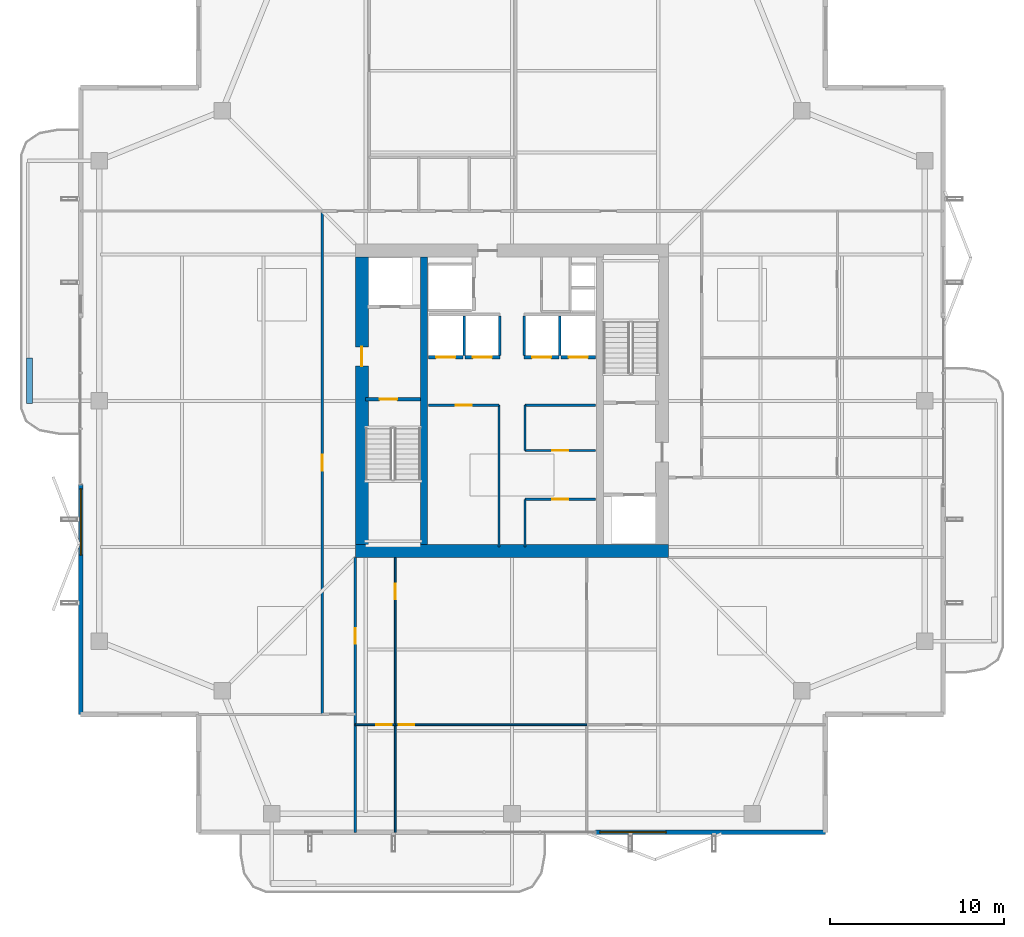
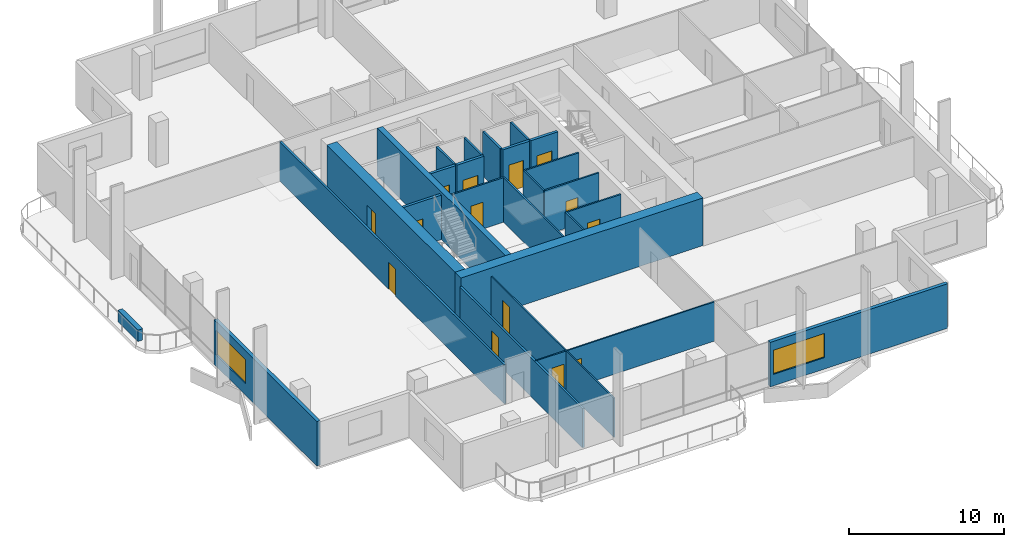
# One storey, part 18 of 25: 27 walls, 14 doors, 2 windows, 16 openings.
"""IFC4 building model written with IfcOpenShell, lengths in metres."""

from ifc_helpers import new_model, si_unit, direction, frame, frame_2d, origin, place, context, subcontext, project, spatial, rectangle, extrude, material, layer, layer_set, type_object, element, fill, save


model = new_model("IFC4")

# Units and contexts
model_context = context("Model", 3, precision=1e-05, world=origin(), true_north=direction((0.0, 1.0)))
body_context = subcontext(model_context, "Body", "Model", "MODEL_VIEW")
ifc_project = project(units=[si_unit("LENGTHUNIT", "METRE"), si_unit("AREAUNIT", "SQUARE_METRE"), si_unit("VOLUMEUNIT", "CUBIC_METRE"), si_unit("PLANEANGLEUNIT", "RADIAN"), si_unit("MASSUNIT", "GRAM", prefix="KILO")], contexts=[model_context])

# Site, building, storey
site_placement = place(None, origin())
site = spatial("IfcSite", under=ifc_project, at=site_placement, CompositionType="ELEMENT")
building_placement = place(site_placement, origin())
building = spatial("IfcBuilding", under=site, at=building_placement, Name="Belovzor Exchange Tower", CompositionType="ELEMENT")
storey_placement = place(building_placement, frame((0.0, 0.0, 265.35009765625)))
storey = spatial("IfcBuildingStorey", under=building, at=storey_placement, Name="L66", CompositionType="ELEMENT", Elevation=265.35009765625)

# Wall, opening, door
ifc_material_1 = material(Name="Acoustic Laminated Glass and Aluminium", Category="aluminium")
ifc_layer_1 = layer(ifc_material_1, 0.10009765625)
ifc_layer_set_1 = layer_set([ifc_layer_1], Name="Acoustic Laminated Glass and Aluminium")
wall_type_1 = type_object("IfcWallType", Name="Demountable Executive Glass Partition 100", PredefinedType="MOVABLE", material=ifc_layer_set_1)
wall_1_placement = place(storey_placement, frame((19.800048828125, 10.200927734375, 0.0), z_axis=(0.0, 0.0, 1.0), x_axis=(1.0, 0.0, 0.0)))
wall_1 = element("IfcWall", 1, at=wall_1_placement, inside=storey, type_object=wall_type_1, Name="W-M100 Partition Wall W-L66-SHDIV-0", PredefinedType="MOVABLE", context=body_context, shape_type="SweptSolid", body=[
    extrude(rectangle(XDim=2.300048828125, YDim=0.10009765625, at=frame_2d((1.14990234375, 0.0))), origin(), (0.0, 0.0, 1.0), 3.0849609375),
])
opening_1_placement = place(wall_1_placement, frame((1.199951171875, 0.0, 0.0)))
opening_1 = element("IfcOpeningElement", 2, at=opening_1_placement, cuts=wall_1, Name="Opening D-INT-090", PredefinedType="OPENING", context=body_context, shape_type="SweptSolid", body=[
    extrude(rectangle(XDim=0.89990234375, YDim=2.10009765625, at=frame_2d((0.449951171875, 1.050048828125))), frame((0.0, 0.06005859375, 0.0), z_axis=(0.0, -1.0, 0.0), x_axis=(1.0, 0.0, 0.0)), (0.0, 0.0, 1.0), 0.1201171875),
])
ifc_material_2 = material(Name="Veneered Hardwood Acoustic Leaf", Category="wood")
door_type_1 = type_object("IfcDoorType", Name="Trading Suite Acoustic Single Door 900x2100", OperationType="NOTDEFINED", PredefinedType="DOOR", material=ifc_material_2)
door_1_placement = place(opening_1_placement, origin())
door_1 = element("IfcDoor", 3, at=door_1_placement, inside=storey, type_object=door_type_1, Name="D-INT-090 Trading Suite Acoustic Single Door 900x2100", OperationType="SINGLE_SWING_LEFT", OverallHeight=2.10009765625, OverallWidth=0.89990234375, PredefinedType="DOOR", context=body_context, shape_type="SweptSolid", body=[
    extrude(rectangle(XDim=0.89990234375, YDim=2.10009765625, at=frame_2d((0.449951171875, 1.050048828125))), frame((0.0, 0.02490234375, 0.0), z_axis=(0.0, -1.0, 0.0), x_axis=(1.0, 0.0, 0.0)), (0.0, 0.0, 1.0), 0.050048828125),
])
fill(opening_1, door_1)

wall_2_placement = place(storey_placement, frame((22.10009765625, 4.030029296875, 0.0), z_axis=(0.0, 0.0, 1.0), x_axis=(0.0, 1.0, 0.0)))
wall_2 = element("IfcWall", 4, at=wall_2_placement, inside=storey, type_object=wall_type_1, Name="W-M100 Partition Wall W-L66-SDIV-1", PredefinedType="MOVABLE", context=body_context, shape_type="SweptSolid", body=[
    extrude(rectangle(XDim=15.77001953125, YDim=0.10009765625, at=frame_2d((7.885009765625, 0.0))), origin(), (0.0, 0.0, 1.0), 3.0849609375),
])
opening_2_placement = place(wall_2_placement, frame((13.3701171875, 0.0, 0.0)))
opening_2 = element("IfcOpeningElement", 5, at=opening_2_placement, cuts=wall_2, Name="Opening D-INT-090", PredefinedType="OPENING", context=body_context, shape_type="SweptSolid", body=[
    extrude(rectangle(XDim=0.89990234375, YDim=2.10009765625, at=frame_2d((0.449951171875, 1.050048828125))), frame((0.0, 0.06005859375, 0.0), z_axis=(0.0, -1.0, 0.0), x_axis=(1.0, 0.0, 0.0)), (0.0, 0.0, 1.0), 0.1201171875),
])
door_2_placement = place(opening_2_placement, origin())
door_2 = element("IfcDoor", 6, at=door_2_placement, inside=storey, type_object=door_type_1, Name="D-INT-090 Trading Suite Acoustic Single Door 900x2100", OperationType="SINGLE_SWING_LEFT", OverallHeight=2.10009765625, OverallWidth=0.89990234375, PredefinedType="DOOR", context=body_context, shape_type="SweptSolid", body=[
    extrude(rectangle(XDim=0.89990234375, YDim=2.10009765625, at=frame_2d((0.449951171875, 1.050048828125))), frame((0.0, 0.02490234375, 0.0), z_axis=(0.0, -1.0, 0.0), x_axis=(1.0, 0.0, 0.0)), (0.0, 0.0, 1.0), 0.050048828125),
])
fill(opening_2, door_2)

wall_3_placement = place(storey_placement, frame((22.10009765625, 10.200927734375, 0.0), z_axis=(0.0, 0.0, 1.0), x_axis=(1.0, 0.0, 0.0)))
wall_3 = element("IfcWall", 7, at=wall_3_placement, inside=storey, type_object=wall_type_1, Name="W-M100 Partition Wall W-L66-SHDIV-1", PredefinedType="MOVABLE", context=body_context, shape_type="SweptSolid", body=[
    extrude(rectangle(XDim=10.991943359375, YDim=0.10009765625, at=frame_2d((5.49609375, 0.0))), origin(), (0.0, 0.0, 1.0), 3.0849609375),
])
opening_3_placement = place(wall_3_placement, frame((0.199951171875, 0.0, 0.0)))
opening_3 = element("IfcOpeningElement", 8, at=opening_3_placement, cuts=wall_3, Name="Opening D-INT-090", PredefinedType="OPENING", context=body_context, shape_type="SweptSolid", body=[
    extrude(rectangle(XDim=0.89990234375, YDim=2.10009765625, at=frame_2d((0.449951171875, 1.050048828125))), frame((0.0, 0.06005859375, 0.0), z_axis=(0.0, -1.0, 0.0), x_axis=(1.0, 0.0, 0.0)), (0.0, 0.0, 1.0), 0.1201171875),
])
door_3_placement = place(opening_3_placement, origin())
door_3 = element("IfcDoor", 9, at=door_3_placement, inside=storey, type_object=door_type_1, Name="D-INT-090 Trading Suite Acoustic Single Door 900x2100", OperationType="SINGLE_SWING_LEFT", OverallHeight=2.10009765625, OverallWidth=0.89990234375, PredefinedType="DOOR", context=body_context, shape_type="SweptSolid", body=[
    extrude(rectangle(XDim=0.89990234375, YDim=2.10009765625, at=frame_2d((0.449951171875, 1.050048828125))), frame((0.0, 0.02490234375, 0.0), z_axis=(0.0, -1.0, 0.0), x_axis=(1.0, 0.0, 0.0)), (0.0, 0.0, 1.0), 0.050048828125),
])
fill(opening_3, door_3)

ifc_material_3 = material(Name="Fire-Rated Plasterboard on Galvanised Studs", Category="gypsum")
ifc_layer_2 = layer(ifc_material_3, 0.1201171875)
ifc_layer_set_2 = layer_set([ifc_layer_2], Name="Fire-Rated Plasterboard on Galvanised Studs")
wall_type_2 = type_object("IfcWallType", Name="Fire-Rated Double-Stud Partition Wall 120", PredefinedType="PARTITIONING", material=ifc_layer_set_2)
wall_4_placement = place(storey_placement, frame((24.0, 28.550048828125, 0.0), z_axis=(0.0, 0.0, 1.0), x_axis=(1.0, 0.0, 0.0)))
wall_4 = element("IfcWall", 10, at=wall_4_placement, inside=storey, type_object=wall_type_2, Name="W-P120F Partition Wall W-CRWB-L66-N", PredefinedType="PARTITIONING", context=body_context, shape_type="SweptSolid", body=[
    extrude(rectangle(XDim=4.050048828125, YDim=0.1201171875, at=frame_2d((2.02490234375, 0.0))), origin(), (0.0, 0.0, 1.0), 3.5),
])
opening_4_placement = place(wall_4_placement, frame((1.574951171875, 0.0, 0.0)))
opening_4 = element("IfcOpeningElement", 11, at=opening_4_placement, cuts=wall_4, Name="Opening D-FD60-090", PredefinedType="OPENING", context=body_context, shape_type="SweptSolid", body=[
    extrude(rectangle(XDim=0.89990234375, YDim=2.10009765625, at=frame_2d((0.449951171875, 1.050048828125))), frame((0.0, 0.070068359375, 0.0), z_axis=(0.0, -1.0, 0.0), x_axis=(1.0, 0.0, 0.0)), (0.0, 0.0, 1.0), 0.14013671875),
])
ifc_material_4 = material(Name="Acoustic Timber Fire Leaf", Category="wood")
door_type_2 = type_object("IfcDoorType", Name="Core Service & Restroom Fire Door 900x2100", OperationType="NOTDEFINED", PredefinedType="DOOR", material=ifc_material_4)
door_4_placement = place(opening_4_placement, origin())
door_4 = element("IfcDoor", 12, at=door_4_placement, inside=storey, type_object=door_type_2, Name="D-FD60-090 Core Service & Restroom Fire Door 900x2100", OperationType="SINGLE_SWING_LEFT", OverallHeight=2.10009765625, OverallWidth=0.89990234375, PredefinedType="DOOR", context=body_context, shape_type="SweptSolid", body=[
    extrude(rectangle(XDim=0.89990234375, YDim=2.10009765625, at=frame_2d((0.449951171875, 1.050048828125))), frame((0.0, 0.02490234375, 0.0), z_axis=(0.0, -1.0, 0.0), x_axis=(1.0, 0.0, 0.0)), (0.0, 0.0, 1.0), 0.050048828125),
])
fill(opening_4, door_4)

# Wall
wall_5_placement = place(storey_placement, frame((28.050048828125, 20.39990234375, 0.0), z_axis=(0.0, 0.0, 1.0), x_axis=(0.0, 1.0, 0.0)))
element("IfcWall", 13, at=wall_5_placement, inside=storey, type_object=wall_type_2, Name="W-P120F Partition Wall W-CRWB-L66-E", PredefinedType="PARTITIONING", context=body_context, shape_type="SweptSolid", body=[
    extrude(rectangle(XDim=8.150146484375, YDim=0.1201171875, at=frame_2d((4.0751953125, 0.0))), origin(), (0.0, 0.0, 1.0), 3.5),
])

# Wall, opening, door
wall_6_placement = place(storey_placement, frame((29.550048828125, 23.14990234375, 0.0), z_axis=(0.0, 0.0, 1.0), x_axis=(1.0, 0.0, 0.0)))
wall_6 = element("IfcWall", 14, at=wall_6_placement, inside=storey, type_object=wall_type_2, Name="W-P120F Partition Wall W-CRL-L66-EN", PredefinedType="PARTITIONING", context=body_context, shape_type="SweptSolid", body=[
    extrude(rectangle(XDim=4.050048828125, YDim=0.1201171875, at=frame_2d((2.02490234375, 0.0))), origin(), (0.0, 0.0, 1.0), 3.5),
])
opening_5_placement = place(wall_6_placement, frame((1.574951171875, 0.0, 0.0)))
opening_5 = element("IfcOpeningElement", 15, at=opening_5_placement, cuts=wall_6, Name="Opening D-FD60-090", PredefinedType="OPENING", context=body_context, shape_type="SweptSolid", body=[
    extrude(rectangle(XDim=0.89990234375, YDim=2.10009765625, at=frame_2d((0.449951171875, 1.050048828125))), frame((0.0, 0.070068359375, 0.0), z_axis=(0.0, -1.0, 0.0), x_axis=(1.0, 0.0, 0.0)), (0.0, 0.0, 1.0), 0.14013671875),
])
door_5_placement = place(opening_5_placement, origin())
door_5 = element("IfcDoor", 16, at=door_5_placement, inside=storey, type_object=door_type_2, Name="D-FD60-090 Core Service & Restroom Fire Door 900x2100", OperationType="SINGLE_SWING_RIGHT", OverallHeight=2.10009765625, OverallWidth=0.89990234375, PredefinedType="DOOR", context=body_context, shape_type="SweptSolid", body=[
    extrude(rectangle(XDim=0.89990234375, YDim=2.10009765625, at=frame_2d((0.449951171875, 1.050048828125))), frame((0.0, 0.02490234375, 0.0), z_axis=(0.0, -1.0, 0.0), x_axis=(1.0, 0.0, 0.0)), (0.0, 0.0, 1.0), 0.050048828125),
])
fill(opening_5, door_5)

# Wall
wall_7_placement = place(storey_placement, frame((29.550048828125, 20.39990234375, 0.0), z_axis=(0.0, 0.0, 1.0), x_axis=(0.0, 1.0, 0.0)))
element("IfcWall", 17, at=wall_7_placement, inside=storey, type_object=wall_type_2, Name="W-P120F Partition Wall W-CRL-L66-EW", PredefinedType="PARTITIONING", context=body_context, shape_type="SweptSolid", body=[
    extrude(rectangle(XDim=2.75, YDim=0.1201171875, at=frame_2d((1.375, 0.0))), origin(), (0.0, 0.0, 1.0), 3.5),
])

# Wall, opening, door
wall_8_placement = place(storey_placement, frame((29.550048828125, 25.949951171875, 0.0), z_axis=(0.0, 0.0, 1.0), x_axis=(1.0, 0.0, 0.0)))
wall_8 = element("IfcWall", 18, at=wall_8_placement, inside=storey, type_object=wall_type_2, Name="W-P120F Partition Wall W-CRM-L66-ES", PredefinedType="PARTITIONING", context=body_context, shape_type="SweptSolid", body=[
    extrude(rectangle(XDim=4.050048828125, YDim=0.1201171875, at=frame_2d((2.02490234375, 0.0))), origin(), (0.0, 0.0, 1.0), 3.5),
])
opening_6_placement = place(wall_8_placement, frame((1.574951171875, 0.0, 0.0)))
opening_6 = element("IfcOpeningElement", 19, at=opening_6_placement, cuts=wall_8, Name="Opening D-FD60-090", PredefinedType="OPENING", context=body_context, shape_type="SweptSolid", body=[
    extrude(rectangle(XDim=0.89990234375, YDim=2.10009765625, at=frame_2d((0.449951171875, 1.050048828125))), frame((0.0, 0.070068359375, 0.0), z_axis=(0.0, -1.0, 0.0), x_axis=(1.0, 0.0, 0.0)), (0.0, 0.0, 1.0), 0.14013671875),
])
door_6_placement = place(opening_6_placement, origin())
door_6 = element("IfcDoor", 20, at=door_6_placement, inside=storey, type_object=door_type_2, Name="D-FD60-090 Core Service & Restroom Fire Door 900x2100", OperationType="SINGLE_SWING_RIGHT", OverallHeight=2.10009765625, OverallWidth=0.89990234375, PredefinedType="DOOR", context=body_context, shape_type="SweptSolid", body=[
    extrude(rectangle(XDim=0.89990234375, YDim=2.10009765625, at=frame_2d((0.449951171875, 1.050048828125))), frame((0.0, 0.02490234375, 0.0), z_axis=(0.0, -1.0, 0.0), x_axis=(1.0, 0.0, 0.0)), (0.0, 0.0, 1.0), 0.050048828125),
])
fill(opening_6, door_6)

# Walls
wall_9_placement = place(storey_placement, frame((29.550048828125, 28.550048828125, 0.0), z_axis=(0.0, 0.0, 1.0), x_axis=(1.0, 0.0, 0.0)))
element("IfcWall", 21, at=wall_9_placement, inside=storey, type_object=wall_type_2, Name="W-P120F Partition Wall W-CRM-L66-EN", PredefinedType="PARTITIONING", context=body_context, shape_type="SweptSolid", body=[
    extrude(rectangle(XDim=4.050048828125, YDim=0.1201171875, at=frame_2d((2.02490234375, 0.0))), origin(), (0.0, 0.0, 1.0), 3.5),
])
wall_10_placement = place(storey_placement, frame((29.550048828125, 25.949951171875, 0.0), z_axis=(0.0, 0.0, 1.0), x_axis=(0.0, 1.0, 0.0)))
element("IfcWall", 22, at=wall_10_placement, inside=storey, type_object=wall_type_2, Name="W-P120F Partition Wall W-CRM-L66-EW", PredefinedType="PARTITIONING", context=body_context, shape_type="SweptSolid", body=[
    extrude(rectangle(XDim=2.60009765625, YDim=0.1201171875, at=frame_2d((1.300048828125, 0.0))), origin(), (0.0, 0.0, 1.0), 3.5),
])

# Wall, opening, door
ifc_material_5 = material(Name="Fire-Rated Gypsum Block and Mineral Wool", Category="gypsum")
ifc_layer_3 = layer(ifc_material_5, 0.14990234375)
ifc_layer_set_3 = layer_set([ifc_layer_3], Name="Fire-Rated Gypsum Block and Mineral Wool")
wall_type_3 = type_object("IfcWallType", Name="Fire-Rated Gypsum Block Corridor Wall 150", PredefinedType="PARTITIONING", material=ifc_layer_set_3)
wall_11_placement = place(storey_placement, frame((19.800048828125, 4.030029296875, 0.0), z_axis=(0.0, 0.0, 1.0), x_axis=(0.0, 1.0, 0.0)))
wall_11 = element("IfcWall", 23, at=wall_11_placement, inside=storey, type_object=wall_type_3, Name="W-P150 Partition Wall W-L66-CW-E", PredefinedType="PARTITIONING", context=body_context, shape_type="SweptSolid", body=[
    extrude(rectangle(XDim=15.77001953125, YDim=0.14990234375, at=frame_2d((7.885009765625, 0.0))), origin(), (0.0, 0.0, 1.0), 3.0849609375),
])
opening_7_placement = place(wall_11_placement, frame((10.820068359375, 0.0, 0.0)))
opening_7 = element("IfcOpeningElement", 24, at=opening_7_placement, cuts=wall_11, Name="Opening D-FD60-090", PredefinedType="OPENING", context=body_context, shape_type="SweptSolid", body=[
    extrude(rectangle(XDim=0.89990234375, YDim=2.10009765625, at=frame_2d((0.449951171875, 1.050048828125))), frame((0.0, 0.0849609375, 0.0), z_axis=(0.0, -1.0, 0.0), x_axis=(1.0, 0.0, 0.0)), (0.0, 0.0, 1.0), 0.169921875),
])
door_7_placement = place(opening_7_placement, origin())
door_7 = element("IfcDoor", 25, at=door_7_placement, inside=storey, type_object=door_type_2, Name="D-FD60-090 Core Service & Restroom Fire Door 900x2100", OperationType="SINGLE_SWING_RIGHT", OverallHeight=2.10009765625, OverallWidth=0.89990234375, PredefinedType="DOOR", context=body_context, shape_type="SweptSolid", body=[
    extrude(rectangle(XDim=0.89990234375, YDim=2.10009765625, at=frame_2d((0.449951171875, 1.050048828125))), frame((0.0, 0.02490234375, 0.0), z_axis=(0.0, -1.0, 0.0), x_axis=(1.0, 0.0, 0.0)), (0.0, 0.0, 1.0), 0.050048828125),
])
fill(opening_7, door_7)

wall_12_placement = place(storey_placement, frame((17.89990234375, 10.800048828125, 0.0), z_axis=(0.0, 0.0, 1.0), x_axis=(0.0, 1.0, 0.0)))
wall_12 = element("IfcWall", 26, at=wall_12_placement, inside=storey, type_object=wall_type_3, Name="W-P150 Partition Wall W-L66-CW", PredefinedType="PARTITIONING", context=body_context, shape_type="SweptSolid", body=[
    extrude(rectangle(XDim=28.89990234375, YDim=0.14990234375, at=frame_2d((14.449951171875, 0.0))), origin(), (0.0, 0.0, 1.0), 3.0849609375),
])
opening_8_placement = place(wall_12_placement, frame((14.0, 0.0, 0.0)))
opening_8 = element("IfcOpeningElement", 27, at=opening_8_placement, cuts=wall_12, Name="Opening D-INT-090", PredefinedType="OPENING", context=body_context, shape_type="SweptSolid", body=[
    extrude(rectangle(XDim=0.89990234375, YDim=2.10009765625, at=frame_2d((0.449951171875, 1.050048828125))), frame((0.0, 0.0849609375, 0.0), z_axis=(0.0, -1.0, 0.0), x_axis=(1.0, 0.0, 0.0)), (0.0, 0.0, 1.0), 0.169921875),
])
door_8_placement = place(opening_8_placement, origin())
door_8 = element("IfcDoor", 28, at=door_8_placement, inside=storey, type_object=door_type_1, Name="D-INT-090 Trading Suite Acoustic Single Door 900x2100", OperationType="SINGLE_SWING_LEFT", OverallHeight=2.10009765625, OverallWidth=0.89990234375, PredefinedType="DOOR", context=body_context, shape_type="SweptSolid", body=[
    extrude(rectangle(XDim=0.89990234375, YDim=2.10009765625, at=frame_2d((0.449951171875, 1.050048828125))), frame((0.0, 0.02490234375, 0.0), z_axis=(0.0, -1.0, 0.0), x_axis=(1.0, 0.0, 0.0)), (0.0, 0.0, 1.0), 0.050048828125),
])
fill(opening_8, door_8)

# Wall, opening, window
ifc_material_6 = material(Name="Precast concrete C40/50", Category="concrete")
ifc_layer_4 = layer(ifc_material_6, 0.260009765625)
ifc_layer_set_4 = layer_set([ifc_layer_4], Name="Precast concrete C40/50")
wall_type_4 = type_object("IfcWallType", Name="Precast Concrete Perimeter Loggia Frame Wall 260", PredefinedType="SOLIDWALL", material=ifc_layer_set_4)
wall_13_placement = place(storey_placement, frame((46.800048828125, 4.030029296875, 0.0), z_axis=(0.0, 0.0, 1.0), x_axis=(-1.0, 0.0, 0.0)))
wall_13 = element("IfcWall", 29, at=wall_13_placement, inside=storey, type_object=wall_type_4, Name="W-EXT260 Precast Concrete Perimeter Loggia Frame Wall 260 L66", PredefinedType="SOLIDWALL", context=body_context, shape_type="SweptSolid", body=[
    extrude(rectangle(XDim=13.199951171875, YDim=0.260009765625, at=frame_2d((6.60009765625, 0.0))), origin(), (0.0, 0.0, 1.0), 3.5),
])
opening_9_placement = place(wall_13_placement, frame((9.14990234375, 0.0, 0.89990234375)))
opening_9 = element("IfcOpeningElement", 30, at=opening_9_placement, cuts=wall_13, Name="Opening WN-RIB380", PredefinedType="OPENING", context=body_context, shape_type="SweptSolid", body=[
    extrude(rectangle(XDim=3.800048828125, YDim=1.89990234375, at=frame_2d((1.89990234375, 0.949951171875))), frame((0.0, 0.139892578125, 0.0), z_axis=(0.0, -1.0, 0.0), x_axis=(1.0, 0.0, 0.0)), (0.0, 0.0, 1.0), 0.280029296875),
])
ifc_material_7 = material(Name="Thermally Broken Aluminium and Triple Glazing", Category="aluminium")
window_type = type_object("IfcWindowType", Name="Streamline Moderne Horizontal Ribbon Window 3800x1900", PartitioningType="SINGLE_PANEL", PredefinedType="WINDOW", material=ifc_material_7)
window_1_placement = place(opening_9_placement, origin())
window_1 = element("IfcWindow", 31, at=window_1_placement, inside=storey, type_object=window_type, Name="WN-RIB380 Streamline Moderne Horizontal Ribbon Window 3800x1900", OverallHeight=1.89990234375, OverallWidth=3.800048828125, PartitioningType="SINGLE_PANEL", PredefinedType="WINDOW", context=body_context, shape_type="SweptSolid", body=[
    extrude(rectangle(XDim=3.800048828125, YDim=1.89990234375, at=frame_2d((1.89990234375, 0.949951171875))), frame((0.0, 0.030029296875, 0.0), z_axis=(0.0, -1.0, 0.0), x_axis=(1.0, 0.0, 0.0)), (0.0, 0.0, 1.0), 0.06005859375),
])
fill(opening_9, window_1)

wall_14_placement = place(storey_placement, frame((4.030029296875, 10.800048828125, 0.0), z_axis=(0.0, 0.0, 1.0), x_axis=(0.0, 1.0, 0.0)))
wall_14 = element("IfcWall", 32, at=wall_14_placement, inside=storey, type_object=wall_type_4, Name="W-EXT260 Precast Concrete Perimeter Loggia Frame Wall 260 L66", PredefinedType="SOLIDWALL", context=body_context, shape_type="SweptSolid", body=[
    extrude(rectangle(XDim=13.199951171875, YDim=0.260009765625, at=frame_2d((6.60009765625, 0.0))), origin(), (0.0, 0.0, 1.0), 3.5),
])
opening_10_placement = place(wall_14_placement, frame((9.14990234375, 0.0, 0.89990234375)))
opening_10 = element("IfcOpeningElement", 33, at=opening_10_placement, cuts=wall_14, Name="Opening WN-RIB380", PredefinedType="OPENING", context=body_context, shape_type="SweptSolid", body=[
    extrude(rectangle(XDim=3.800048828125, YDim=1.89990234375, at=frame_2d((1.89990234375, 0.949951171875))), frame((0.0, 0.139892578125, 0.0), z_axis=(0.0, -1.0, 0.0), x_axis=(1.0, 0.0, 0.0)), (0.0, 0.0, 1.0), 0.280029296875),
])
window_2_placement = place(opening_10_placement, origin())
window_2 = element("IfcWindow", 34, at=window_2_placement, inside=storey, type_object=window_type, Name="WN-RIB380 Streamline Moderne Horizontal Ribbon Window 3800x1900", OverallHeight=1.89990234375, OverallWidth=3.800048828125, PartitioningType="SINGLE_PANEL", PredefinedType="WINDOW", context=body_context, shape_type="SweptSolid", body=[
    extrude(rectangle(XDim=3.800048828125, YDim=1.89990234375, at=frame_2d((1.89990234375, 0.949951171875))), frame((0.0, 0.030029296875, 0.0), z_axis=(0.0, -1.0, 0.0), x_axis=(1.0, 0.0, 0.0)), (0.0, 0.0, 1.0), 0.06005859375),
])
fill(opening_10, window_2)

# Walls
ifc_material_8 = material(Name="Precast concrete C40/50", Category="concrete")
ifc_layer_5 = layer(ifc_material_8, 0.35009765625)
ifc_layer_set_5 = layer_set([ifc_layer_5], Name="Precast concrete C40/50")
wall_type_5 = type_object("IfcWallType", Name="Precast Concrete Structural Tree Planter Trough 350", PredefinedType="PARAPET", material=ifc_layer_set_5)
wall_15_placement = place(storey_placement, frame((1.10009765625, 28.64990234375, 0.0), z_axis=(0.0, 0.0, 1.0), x_axis=(0.0, 1.0, 0.0)))
element("IfcWall", 35, at=wall_15_placement, inside=storey, type_object=wall_type_5, Name="PT-350 Precast Concrete Structural Tree Planter Trough 350 L66", PredefinedType="PARAPET", context=body_context, shape_type="SweptSolid", body=[
    extrude(rectangle(XDim=2.60009765625, YDim=0.35009765625, at=frame_2d((1.300048828125, 0.0))), origin(), (0.0, 0.0, 1.0), 0.89990234375),
])
ifc_material_9 = material(Name="Concrete C50/60", Category="concrete")
ifc_layer_6 = layer(ifc_material_9, 0.39990234375)
ifc_layer_set_6 = layer_set([ifc_layer_6], Name="Concrete C50/60")
wall_type_6 = type_object("IfcWallType", Name="Reinforced Concrete Core Internal Web Wall 400", PredefinedType="SHEAR", material=ifc_layer_set_6)
wall_16_placement = place(storey_placement, frame((23.75, 20.550048828125, 0.0), z_axis=(0.0, 0.0, 1.0), x_axis=(0.0, 1.0, 0.0)))
element("IfcWall", 36, at=wall_16_placement, inside=storey, type_object=wall_type_6, Name="CW-W040 Core Internal Web Wall L66 WL", PredefinedType="SHEAR", context=body_context, shape_type="SweptSolid", body=[
    extrude(rectangle(XDim=16.5, YDim=0.39990234375, at=frame_2d((8.25, 0.0))), origin(), (0.0, 0.0, 1.0), 3.75),
])
ifc_material_10 = material(Name="Concrete C50/60", Category="concrete")
ifc_layer_7 = layer(ifc_material_10, 0.14990234375)
ifc_layer_set_7 = layer_set([ifc_layer_7], Name="Concrete C50/60")
wall_type_7 = type_object("IfcWallType", Name="Reinforced Concrete Core Riser Shear Wall 150", PredefinedType="SHEAR", material=ifc_layer_set_7)
for number, where, z_axis, x_axis, name in (
    (37, (26.050048828125, 31.419921875, 0.0), (0.0, 0.0, 1.0), (0.0, 1.0, 0.0), "W-C150S Core Shaft Wall W-SHD-L66-PLH-1"),
    (38, (28.10009765625, 31.419921875, 0.0), (0.0, 0.0, 1.0), (0.0, 1.0, 0.0), "W-C150S Core Shaft Wall W-SHD-L66-PLH-2"),
    (39, (29.5, 31.419921875, 0.0), (0.0, 0.0, 1.0), (0.0, 1.0, 0.0), "W-C150S Core Shaft Wall W-SHD-L66-PLH-3"),
    (40, (31.550048828125, 31.419921875, 0.0), (0.0, 0.0, 1.0), (0.0, 1.0, 0.0), "W-C150S Core Shaft Wall W-SHD-L66-PLH-4"),
):
    element("IfcWall", number, at=place(storey_placement, frame(where, z_axis=z_axis, x_axis=x_axis)), inside=storey, type_object=wall_type_7, Name=name, PredefinedType="SHEAR", context=body_context, shape_type="SweptSolid", body=[
        extrude(rectangle(XDim=2.239990234375, YDim=0.14990234375, at=frame_2d((1.1201171875, 0.0))), origin(), (0.0, 0.0, 1.0), 3.5),
    ])

# Wall, opening, door
ifc_material_11 = material(Name="Concrete C50/60", Category="concrete")
ifc_layer_8 = layer(ifc_material_11, 0.199951171875)
ifc_layer_set_8 = layer_set([ifc_layer_8], Name="Concrete C50/60")
wall_type_8 = type_object("IfcWallType", Name="Reinforced Concrete Core Shaft Shear Wall 200", PredefinedType="SHEAR", material=ifc_layer_set_8)
wall_17_placement = place(storey_placement, frame((20.39990234375, 28.89990234375, 0.0), z_axis=(0.0, 0.0, 1.0), x_axis=(1.0, 0.0, 0.0)))
wall_17 = element("IfcWall", 41, at=wall_17_placement, inside=storey, type_object=wall_type_8, Name="W-C200S Core Shaft Wall W-CORE-L66-FFLW1", PredefinedType="SHEAR", context=body_context, shape_type="SweptSolid", body=[
    extrude(rectangle(XDim=3.150146484375, YDim=0.199951171875, at=frame_2d((1.5751953125, 0.0))), origin(), (0.0, 0.0, 1.0), 3.5),
])
opening_11_placement = place(wall_17_placement, frame((0.800048828125, 0.0, 0.0)))
opening_11 = element("IfcOpeningElement", 42, at=opening_11_placement, cuts=wall_17, Name="Opening D-FD90-100", PredefinedType="OPENING", context=body_context, shape_type="SweptSolid", body=[
    extrude(rectangle(XDim=1.0, YDim=2.10009765625, at=frame_2d((0.5, 1.050048828125))), frame((0.0, 0.10986328125, 0.0), z_axis=(0.0, -1.0, 0.0), x_axis=(1.0, 0.0, 0.0)), (0.0, 0.0, 1.0), 0.219970703125),
])
ifc_material_12 = material(Name="Fire-Rated Galvanised Steel Leaf", Category="steel")
door_type_3 = type_object("IfcDoorType", Name="Protected Stairwell Single Fire Door 1000x2100", OperationType="NOTDEFINED", PredefinedType="DOOR", material=ifc_material_12)
door_9_placement = place(opening_11_placement, origin())
door_9 = element("IfcDoor", 43, at=door_9_placement, inside=storey, type_object=door_type_3, Name="D-FD90-100 Protected Stairwell Single Fire Door 1000x2100", OperationType="SINGLE_SWING_RIGHT", OverallHeight=2.10009765625, OverallWidth=1.0, PredefinedType="DOOR", context=body_context, shape_type="SweptSolid", body=[
    extrude(rectangle(XDim=1.0, YDim=2.10009765625, at=frame_2d((0.5, 1.050048828125))), frame((0.0, 0.02490234375, 0.0), z_axis=(0.0, -1.0, 0.0), x_axis=(1.0, 0.0, 0.0)), (0.0, 0.0, 1.0), 0.050048828125),
])
fill(opening_11, door_9)

wall_18_placement = place(storey_placement, frame((24.0, 31.300048828125, 0.0), z_axis=(0.0, 0.0, 1.0), x_axis=(1.0, 0.0, 0.0)))
wall_18 = element("IfcWall", 44, at=wall_18_placement, inside=storey, type_object=wall_type_8, Name="W-C200S Core Shaft Wall W-SH-L66-PL-H1", PredefinedType="SHEAR", context=body_context, shape_type="SweptSolid", body=[
    extrude(rectangle(XDim=2.0, YDim=0.199951171875, at=frame_2d((1.0, 0.0))), origin(), (0.0, 0.0, 1.0), 3.5),
])
opening_12_placement = place(wall_18_placement, frame((0.449951171875, 0.0, 0.0)))
opening_12 = element("IfcOpeningElement", 45, at=opening_12_placement, cuts=wall_18, Name="Opening LD-110", PredefinedType="OPENING", context=body_context, shape_type="SweptSolid", body=[
    extrude(rectangle(XDim=1.10009765625, YDim=2.14990234375, at=frame_2d((0.550048828125, 1.074951171875))), frame((0.0, 0.10986328125, 0.0), z_axis=(0.0, -1.0, 0.0), x_axis=(1.0, 0.0, 0.0)), (0.0, 0.0, 1.0), 0.219970703125),
])
ifc_material_13 = material(Name="Stainless Steel Grade 304", Category="steel")
door_type_4 = type_object("IfcDoorType", Name="Automated Stainless Steel Lift Landing Door 1100x2150", OperationType="SLIDING_TO_RIGHT", PredefinedType="DOOR", material=ifc_material_13)
door_10_placement = place(opening_12_placement, origin())
door_10 = element("IfcDoor", 46, at=door_10_placement, inside=storey, type_object=door_type_4, Name="LD-110 Automated Stainless Steel Lift Landing Door 1100x2150", OperationType="SLIDING_TO_RIGHT", OverallHeight=2.14990234375, OverallWidth=1.10009765625, PredefinedType="DOOR", context=body_context, shape_type="SweptSolid", body=[
    extrude(rectangle(XDim=1.10009765625, YDim=2.14990234375, at=frame_2d((0.550048828125, 1.074951171875))), frame((0.0, 0.02490234375, 0.0), z_axis=(0.0, -1.0, 0.0), x_axis=(1.0, 0.0, 0.0)), (0.0, 0.0, 1.0), 0.050048828125),
])
fill(opening_12, door_10)

wall_19_placement = place(storey_placement, frame((26.10009765625, 31.300048828125, 0.0), z_axis=(0.0, 0.0, 1.0), x_axis=(1.0, 0.0, 0.0)))
wall_19 = element("IfcWall", 47, at=wall_19_placement, inside=storey, type_object=wall_type_8, Name="W-C200S Core Shaft Wall W-SH-L66-PL-H2", PredefinedType="SHEAR", context=body_context, shape_type="SweptSolid", body=[
    extrude(rectangle(XDim=2.0, YDim=0.199951171875, at=frame_2d((1.0, 0.0))), origin(), (0.0, 0.0, 1.0), 3.5),
])
opening_13_placement = place(wall_19_placement, frame((0.449951171875, 0.0, 0.0)))
opening_13 = element("IfcOpeningElement", 48, at=opening_13_placement, cuts=wall_19, Name="Opening LD-110", PredefinedType="OPENING", context=body_context, shape_type="SweptSolid", body=[
    extrude(rectangle(XDim=1.10009765625, YDim=2.14990234375, at=frame_2d((0.550048828125, 1.074951171875))), frame((0.0, 0.10986328125, 0.0), z_axis=(0.0, -1.0, 0.0), x_axis=(1.0, 0.0, 0.0)), (0.0, 0.0, 1.0), 0.219970703125),
])
door_11_placement = place(opening_13_placement, origin())
door_11 = element("IfcDoor", 49, at=door_11_placement, inside=storey, type_object=door_type_4, Name="LD-110 Automated Stainless Steel Lift Landing Door 1100x2150", OperationType="SLIDING_TO_RIGHT", OverallHeight=2.14990234375, OverallWidth=1.10009765625, PredefinedType="DOOR", context=body_context, shape_type="SweptSolid", body=[
    extrude(rectangle(XDim=1.10009765625, YDim=2.14990234375, at=frame_2d((0.550048828125, 1.074951171875))), frame((0.0, 0.02490234375, 0.0), z_axis=(0.0, -1.0, 0.0), x_axis=(1.0, 0.0, 0.0)), (0.0, 0.0, 1.0), 0.050048828125),
])
fill(opening_13, door_11)

wall_20_placement = place(storey_placement, frame((29.5, 31.300048828125, 0.0), z_axis=(0.0, 0.0, 1.0), x_axis=(1.0, 0.0, 0.0)))
wall_20 = element("IfcWall", 50, at=wall_20_placement, inside=storey, type_object=wall_type_8, Name="W-C200S Core Shaft Wall W-SH-L66-PL-H3", PredefinedType="SHEAR", context=body_context, shape_type="SweptSolid", body=[
    extrude(rectangle(XDim=2.0, YDim=0.199951171875, at=frame_2d((1.0, 0.0))), origin(), (0.0, 0.0, 1.0), 3.5),
])
opening_14_placement = place(wall_20_placement, frame((0.449951171875, 0.0, 0.0)))
opening_14 = element("IfcOpeningElement", 51, at=opening_14_placement, cuts=wall_20, Name="Opening LD-110", PredefinedType="OPENING", context=body_context, shape_type="SweptSolid", body=[
    extrude(rectangle(XDim=1.10009765625, YDim=2.14990234375, at=frame_2d((0.550048828125, 1.074951171875))), frame((0.0, 0.10986328125, 0.0), z_axis=(0.0, -1.0, 0.0), x_axis=(1.0, 0.0, 0.0)), (0.0, 0.0, 1.0), 0.219970703125),
])
door_12_placement = place(opening_14_placement, origin())
door_12 = element("IfcDoor", 52, at=door_12_placement, inside=storey, type_object=door_type_4, Name="LD-110 Automated Stainless Steel Lift Landing Door 1100x2150", OperationType="SLIDING_TO_RIGHT", OverallHeight=2.14990234375, OverallWidth=1.10009765625, PredefinedType="DOOR", context=body_context, shape_type="SweptSolid", body=[
    extrude(rectangle(XDim=1.10009765625, YDim=2.14990234375, at=frame_2d((0.550048828125, 1.074951171875))), frame((0.0, 0.02490234375, 0.0), z_axis=(0.0, -1.0, 0.0), x_axis=(1.0, 0.0, 0.0)), (0.0, 0.0, 1.0), 0.050048828125),
])
fill(opening_14, door_12)

wall_21_placement = place(storey_placement, frame((31.60009765625, 31.300048828125, 0.0), z_axis=(0.0, 0.0, 1.0), x_axis=(1.0, 0.0, 0.0)))
wall_21 = element("IfcWall", 53, at=wall_21_placement, inside=storey, type_object=wall_type_8, Name="W-C200S Core Shaft Wall W-SH-L66-PL-H4", PredefinedType="SHEAR", context=body_context, shape_type="SweptSolid", body=[
    extrude(rectangle(XDim=2.0, YDim=0.199951171875, at=frame_2d((1.0, 0.0))), origin(), (0.0, 0.0, 1.0), 3.5),
])
opening_15_placement = place(wall_21_placement, frame((0.449951171875, 0.0, 0.0)))
opening_15 = element("IfcOpeningElement", 54, at=opening_15_placement, cuts=wall_21, Name="Opening LD-110", PredefinedType="OPENING", context=body_context, shape_type="SweptSolid", body=[
    extrude(rectangle(XDim=1.10009765625, YDim=2.14990234375, at=frame_2d((0.550048828125, 1.074951171875))), frame((0.0, 0.10986328125, 0.0), z_axis=(0.0, -1.0, 0.0), x_axis=(1.0, 0.0, 0.0)), (0.0, 0.0, 1.0), 0.219970703125),
])
door_13_placement = place(opening_15_placement, origin())
door_13 = element("IfcDoor", 55, at=door_13_placement, inside=storey, type_object=door_type_4, Name="LD-110 Automated Stainless Steel Lift Landing Door 1100x2150", OperationType="SLIDING_TO_RIGHT", OverallHeight=2.14990234375, OverallWidth=1.10009765625, PredefinedType="DOOR", context=body_context, shape_type="SweptSolid", body=[
    extrude(rectangle(XDim=1.10009765625, YDim=2.14990234375, at=frame_2d((0.550048828125, 1.074951171875))), frame((0.0, 0.02490234375, 0.0), z_axis=(0.0, -1.0, 0.0), x_axis=(1.0, 0.0, 0.0)), (0.0, 0.0, 1.0), 0.050048828125),
])
fill(opening_15, door_13)

# Wall
ifc_material_14 = material(Name="Concrete C50/60", Category="concrete")
ifc_layer_9 = layer(ifc_material_14, 0.75)
ifc_layer_set_9 = layer_set([ifc_layer_9], Name="Concrete C50/60")
wall_type_9 = type_object("IfcWallType", Name="Reinforced Concrete Core Shear Wall 750", PredefinedType="SHEAR", material=ifc_layer_set_9)
wall_22_placement = place(storey_placement, frame((19.800048828125, 20.175048828125, 0.0), z_axis=(0.0, 0.0, 1.0), x_axis=(1.0, 0.0, 0.0)))
element("IfcWall", 56, at=wall_22_placement, inside=storey, type_object=wall_type_9, Name="CW-S075 Core Shear Wall L66 S", PredefinedType="SHEAR", context=body_context, shape_type="SweptSolid", body=[
    extrude(rectangle(XDim=18.0, YDim=0.75, at=frame_2d((9.0, 0.0))), origin(), (0.0, 0.0, 1.0), 3.75),
])

# Wall, opening, door
wall_23_placement = place(storey_placement, frame((20.175048828125, 20.550048828125, 0.0), z_axis=(0.0, 0.0, 1.0), x_axis=(0.0, 1.0, 0.0)))
wall_23 = element("IfcWall", 57, at=wall_23_placement, inside=storey, type_object=wall_type_9, Name="CW-S075 Core Shear Wall L66 W", PredefinedType="SHEAR", context=body_context, shape_type="SweptSolid", body=[
    extrude(rectangle(XDim=16.5, YDim=0.75, at=frame_2d((8.25, 0.0))), origin(), (0.0, 0.0, 1.0), 3.75),
])
opening_16_placement = place(wall_23_placement, frame((10.25, 0.0, 0.0)))
opening_16 = element("IfcOpeningElement", 58, at=opening_16_placement, cuts=wall_23, Name="Opening D-FD90-110", PredefinedType="OPENING", context=body_context, shape_type="SweptSolid", body=[
    extrude(rectangle(XDim=1.10009765625, YDim=2.14990234375, at=frame_2d((0.550048828125, 1.074951171875))), frame((0.0, 0.385009765625, 0.0), z_axis=(0.0, -1.0, 0.0), x_axis=(1.0, 0.0, 0.0)), (0.0, 0.0, 1.0), 0.77001953125),
])
ifc_material_15 = material(Name="Fire-Rated Galvanised Steel Leaf", Category="steel")
door_type_5 = type_object("IfcDoorType", Name="Protected Escape Vestibule Fire Door 1100x2150", OperationType="NOTDEFINED", PredefinedType="DOOR", material=ifc_material_15)
door_14_placement = place(opening_16_placement, origin())
door_14 = element("IfcDoor", 59, at=door_14_placement, inside=storey, type_object=door_type_5, Name="D-FD90-110 Protected Escape Vestibule Fire Door 1100x2150", OperationType="SINGLE_SWING_LEFT", OverallHeight=2.14990234375, OverallWidth=1.10009765625, PredefinedType="DOOR", context=body_context, shape_type="SweptSolid", body=[
    extrude(rectangle(XDim=1.10009765625, YDim=2.14990234375, at=frame_2d((0.550048828125, 1.074951171875))), frame((0.0, 0.02490234375, 0.0), z_axis=(0.0, -1.0, 0.0), x_axis=(1.0, 0.0, 0.0)), (0.0, 0.0, 1.0), 0.050048828125),
])
fill(opening_16, door_14)

save(model, "model.ifc")
